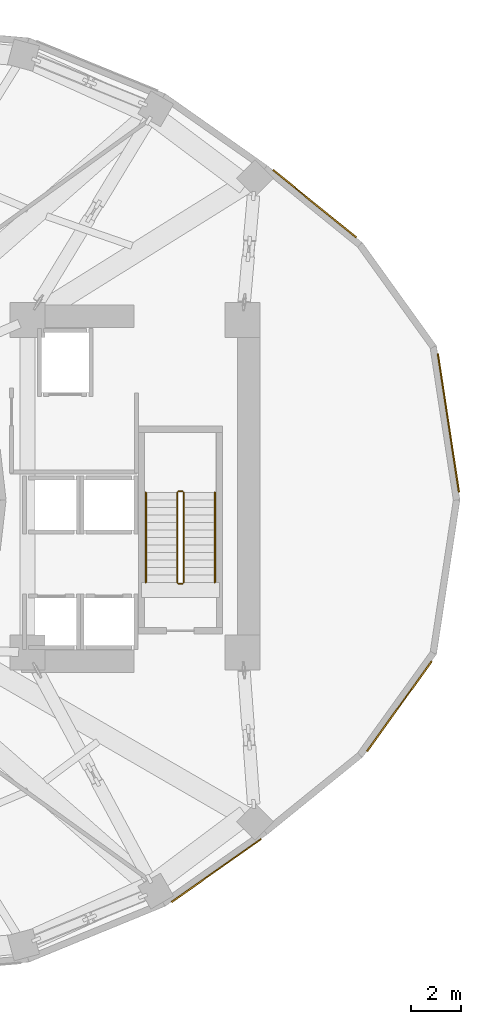
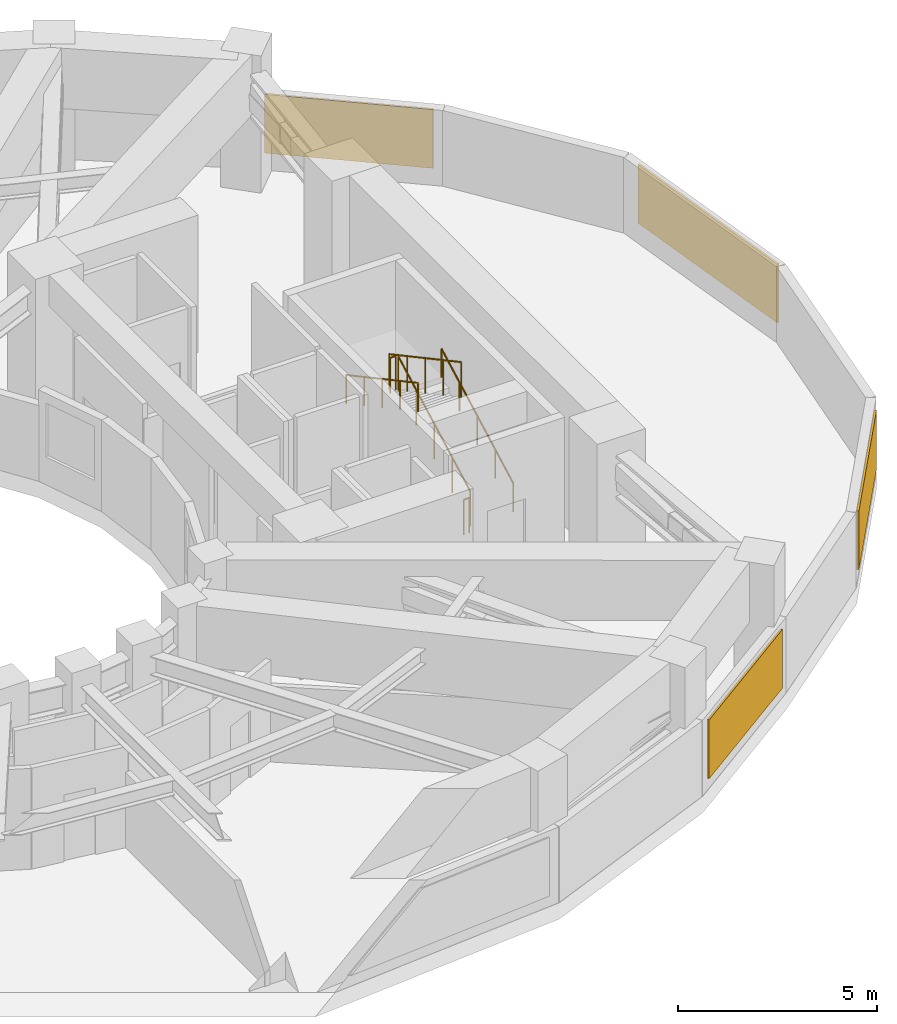
# One storey, part 9 of 10: 6 railings, 4 shading devices.
"""IFC4 building model written with IfcOpenShell, lengths in metres."""

from ifc_helpers import new_model, si_unit, direction, frame, origin, origin_2d, place, context, subcontext, project, spatial, rectangle, circle, extrude, material, layer, layer_set, type_object, element, save


model = new_model("IFC4")

# Units and contexts
model_context = context("Model", 3, precision=1e-05, world=origin(), true_north=direction((0.0, 1.0)))
body_context = subcontext(model_context, "Body", "Model", "MODEL_VIEW")
ifc_project = project(units=[si_unit("LENGTHUNIT", "METRE"), si_unit("AREAUNIT", "SQUARE_METRE"), si_unit("VOLUMEUNIT", "CUBIC_METRE"), si_unit("PLANEANGLEUNIT", "RADIAN"), si_unit("MASSUNIT", "GRAM", prefix="KILO")], contexts=[model_context])

# Site, building, storey
site_placement = place(None, origin())
site = spatial("IfcSite", under=ifc_project, at=site_placement, CompositionType="ELEMENT")
building_placement = place(site_placement, origin())
building = spatial("IfcBuilding", under=site, at=building_placement, Name="Solvane Sanctuary Tower", CompositionType="ELEMENT")
storey_placement = place(building_placement, frame((0.0, 0.0, 64.800048828125)))
storey = spatial("IfcBuildingStorey", under=building, at=storey_placement, Name="L19", CompositionType="ELEMENT", Elevation=64.800048828125)

# Railings
ifc_material_1 = material(Name="Architectural Stainless Steel 316", Category="steel")
railing_type_1 = type_object("IfcRailingType", Name="Railing GR-BALC-1150", PredefinedType="BALUSTRADE", material=ifc_material_1)
railing_1_placement = place(storey_placement, frame((46.340087890625, 19.699951171875, 0.161376953125)))
element("IfcRailing", 1, at=railing_1_placement, inside=storey, type_object=railing_type_1, Name="L19 ST-2 stair guard 1", PredefinedType="BALUSTRADE", context=body_context, shape_type="SweptSolid", body=[
    extrude(circle(Radius=0.02392578125, at=origin_2d()), frame((0.0, 0.0, 1.076171875), z_axis=(0.0, 0.880474934443, 0.474092701714), x_axis=(-1.0, 0.0, 0.0)), (0.0, 0.0, 1.0), 4.0888671875),
    extrude(circle(Radius=0.02099609375, at=origin_2d()), origin(), (0.0, 0.0, 1.0), 1.052001953125),
    extrude(circle(Radius=0.02099609375, at=origin_2d()), frame((0.0, 0.89990234375, 0.484619140625)), (0.0, 0.0, 1.0), 1.052001953125),
    extrude(circle(Radius=0.02099609375, at=origin_2d()), frame((0.0, 1.800048828125, 0.96923828125)), (0.0, 0.0, 1.0), 1.052001953125),
    extrude(circle(Radius=0.02099609375, at=origin_2d()), frame((0.0, 2.7001953125, 1.453857421875)), (0.0, 0.0, 1.0), 1.052001953125),
    extrude(circle(Radius=0.02099609375, at=origin_2d()), frame((0.0, 3.60009765625, 1.9384765625)), (0.0, 0.0, 1.0), 1.052001953125),
])
railing_2_placement = place(storey_placement, frame((46.2900390625, 23.35009765625, 2.099853515625)))
element("IfcRailing", 2, at=railing_2_placement, inside=storey, type_object=railing_type_1, Name="L19 ST-2 stair guard 2", PredefinedType="BALUSTRADE", context=body_context, shape_type="SweptSolid", body=[
    extrude(circle(Radius=0.02392578125, at=origin_2d()), frame((0.0, 0.0, 1.076171875), z_axis=(-1.0, 0.0, 0.0), x_axis=(0.0, -1.0, 0.0)), (0.0, 0.0, 1.0), 0.16015625),
    extrude(circle(Radius=0.02099609375, at=origin_2d()), origin(), (0.0, 0.0, 1.0), 1.052001953125),
    extrude(circle(Radius=0.02099609375, at=origin_2d()), frame((-0.16015625, 0.0, 0.0)), (0.0, 0.0, 1.0), 1.052001953125),
])
railing_3_placement = place(storey_placement, frame((46.080078125, 23.300048828125, 2.261474609375)))
element("IfcRailing", 3, at=railing_3_placement, inside=storey, type_object=railing_type_1, Name="L19 ST-2 stair guard 3", PredefinedType="BALUSTRADE", context=body_context, shape_type="SweptSolid", body=[
    extrude(circle(Radius=0.02392578125, at=origin_2d()), frame((0.0, 0.0, 1.076171875), z_axis=(0.0, -0.880474934443, 0.474092701714), x_axis=(1.0, 0.0, 0.0)), (0.0, 0.0, 1.0), 4.0888671875),
    extrude(circle(Radius=0.02099609375, at=origin_2d()), origin(), (0.0, 0.0, 1.0), 1.052001953125),
    extrude(circle(Radius=0.02099609375, at=origin_2d()), frame((0.0, -0.89990234375, 0.484619140625)), (0.0, 0.0, 1.0), 1.052001953125),
    extrude(circle(Radius=0.02099609375, at=origin_2d()), frame((0.0, -1.800048828125, 0.96923828125)), (0.0, 0.0, 1.0), 1.052001953125),
    extrude(circle(Radius=0.02099609375, at=origin_2d()), frame((0.0, -2.7001953125, 1.453857421875)), (0.0, 0.0, 1.0), 1.052001953125),
    extrude(circle(Radius=0.02099609375, at=origin_2d()), frame((0.0, -3.60009765625, 1.9384765625)), (0.0, 0.0, 1.0), 1.052001953125),
])
railing_4_placement = place(storey_placement, frame((46.2900390625, 19.64990234375, 0.0)))
element("IfcRailing", 4, at=railing_4_placement, inside=storey, type_object=railing_type_1, Name="L19 ST-2 stair guard 4", PredefinedType="BALUSTRADE", context=body_context, shape_type="SweptSolid", body=[
    extrude(circle(Radius=0.02392578125, at=origin_2d()), frame((0.0, 0.0, 1.076171875), z_axis=(-1.0, 0.0, 0.0), x_axis=(0.0, -1.0, 0.0)), (0.0, 0.0, 1.0), 0.16015625),
    extrude(circle(Radius=0.02099609375, at=origin_2d()), origin(), (0.0, 0.0, 1.0), 1.052001953125),
    extrude(circle(Radius=0.02099609375, at=origin_2d()), frame((-0.16015625, 0.0, 0.0)), (0.0, 0.0, 1.0), 1.052001953125),
])
railing_type_2 = type_object("IfcRailingType", Name="Railing HR-STAIR-920", PredefinedType="HANDRAIL", material=ifc_material_1)
railing_5_placement = place(storey_placement, frame((47.590087890625, 19.699951171875, 0.161376953125)))
element("IfcRailing", 5, at=railing_5_placement, inside=storey, type_object=railing_type_2, Name="L19 ST-2 stair handrail 1", PredefinedType="HANDRAIL", context=body_context, shape_type="SweptSolid", body=[
    extrude(circle(Radius=0.02392578125, at=origin_2d()), frame((0.0, 0.0, 0.8759765625), z_axis=(0.0, 0.880474934443, 0.474092701714), x_axis=(-1.0, 0.0, 0.0)), (0.0, 0.0, 1.0), 4.0888671875),
    extrude(circle(Radius=0.02099609375, at=origin_2d()), origin(), (0.0, 0.0, 1.0), 0.851806640625),
    extrude(circle(Radius=0.02099609375, at=origin_2d()), frame((0.0, 0.89990234375, 0.484619140625)), (0.0, 0.0, 1.0), 0.851806640625),
    extrude(circle(Radius=0.02099609375, at=origin_2d()), frame((0.0, 1.800048828125, 0.96923828125)), (0.0, 0.0, 1.0), 0.851806640625),
    extrude(circle(Radius=0.02099609375, at=origin_2d()), frame((0.0, 2.7001953125, 1.453857421875)), (0.0, 0.0, 1.0), 0.851806640625),
    extrude(circle(Radius=0.02099609375, at=origin_2d()), frame((0.0, 3.60009765625, 1.9384765625)), (0.0, 0.0, 1.0), 0.851806640625),
])
railing_6_placement = place(storey_placement, frame((44.830078125, 23.300048828125, 2.261474609375)))
element("IfcRailing", 6, at=railing_6_placement, inside=storey, type_object=railing_type_2, Name="L19 ST-2 stair handrail 2", PredefinedType="HANDRAIL", context=body_context, shape_type="SweptSolid", body=[
    extrude(circle(Radius=0.02392578125, at=origin_2d()), frame((0.0, 0.0, 0.8759765625), z_axis=(0.0, -0.880474934443, 0.474092701714), x_axis=(1.0, 0.0, 0.0)), (0.0, 0.0, 1.0), 4.0888671875),
    extrude(circle(Radius=0.02099609375, at=origin_2d()), origin(), (0.0, 0.0, 1.0), 0.851806640625),
    extrude(circle(Radius=0.02099609375, at=origin_2d()), frame((0.0, -0.89990234375, 0.484619140625)), (0.0, 0.0, 1.0), 0.851806640625),
    extrude(circle(Radius=0.02099609375, at=origin_2d()), frame((0.0, -1.800048828125, 0.96923828125)), (0.0, 0.0, 1.0), 0.851806640625),
    extrude(circle(Radius=0.02099609375, at=origin_2d()), frame((0.0, -2.7001953125, 1.453857421875)), (0.0, 0.0, 1.0), 0.851806640625),
    extrude(circle(Radius=0.02099609375, at=origin_2d()), frame((0.0, -3.60009765625, 1.9384765625)), (0.0, 0.0, 1.0), 0.851806640625),
])

# Shading devices
ifc_material_2 = material(Name="Anodised Aluminium 6063-T6", Category="aluminium")
ifc_layer = layer(ifc_material_2, 0.06005859375, Name="Anodised Aluminium 6063-T6")
ifc_layer_set = layer_set([ifc_layer], Name="Anodised Aluminium 6063-T6")
shading_device_type = type_object("IfcShadingDeviceType", Name="Shading SHD-LOUVRE", PredefinedType="JALOUSIE", material=ifc_layer_set)
shading_device_1_placement = place(storey_placement, frame((56.931396484375, 26.083740234375, 0.35009765625), z_axis=(0.0, 0.0, 1.0), x_axis=(-0.15073804919, 0.988573740561, 0.0)))
element("IfcShadingDevice", 7, at=shading_device_1_placement, inside=storey, type_object=shading_device_type, Name="L19 Plant Intake Louvre 00", PredefinedType="JALOUSIE", context=body_context, shape_type="SweptSolid", body=[
    extrude(rectangle(XDim=5.59619140625, YDim=0.06005859375, at=origin_2d()), origin(), (0.0, 0.0, 1.0), 1.800048828125),
])
shading_device_2_placement = place(storey_placement, frame((51.58154296875, 34.853759765625, 0.35009765625), z_axis=(0.0, 0.0, 1.0), x_axis=(-0.777094335392, 0.629384138585, 0.0)))
element("IfcShadingDevice", 8, at=shading_device_2_placement, inside=storey, type_object=shading_device_type, Name="L19 Plant Intake Louvre 02", PredefinedType="JALOUSIE", context=body_context, shape_type="SweptSolid", body=[
    extrude(rectangle(XDim=4.275634765625, YDim=0.06005859375, at=origin_2d()), origin(), (0.0, 0.0, 1.0), 1.800048828125),
])
shading_device_3_placement = place(storey_placement, frame((47.64599609375, 8.176513671875, 0.35009765625), z_axis=(0.0, 0.0, 1.0), x_axis=(0.81808949853, 0.575090925328, 0.0)))
element("IfcShadingDevice", 9, at=shading_device_3_placement, inside=storey, type_object=shading_device_type, Name="L19 Plant Intake Louvre 20", PredefinedType="JALOUSIE", context=body_context, shape_type="SweptSolid", body=[
    extrude(rectangle(XDim=4.37109375, YDim=0.06005859375, at=origin_2d()), origin(), (0.0, 0.0, 1.0), 1.800048828125),
])
shading_device_4_placement = place(storey_placement, frame((54.970703125, 14.750244140625, 0.35009765625), z_axis=(0.0, 0.0, 1.0), x_axis=(0.583869989436, 0.811847174926, 0.0)))
element("IfcShadingDevice", 10, at=shading_device_4_placement, inside=storey, type_object=shading_device_type, Name="L19 Plant Intake Louvre 22", PredefinedType="JALOUSIE", context=body_context, shape_type="SweptSolid", body=[
    extrude(rectangle(XDim=4.43212890625, YDim=0.06005859375, at=origin_2d()), origin(), (0.0, 0.0, 1.0), 1.800048828125),
])

save(model, "model.ifc")
